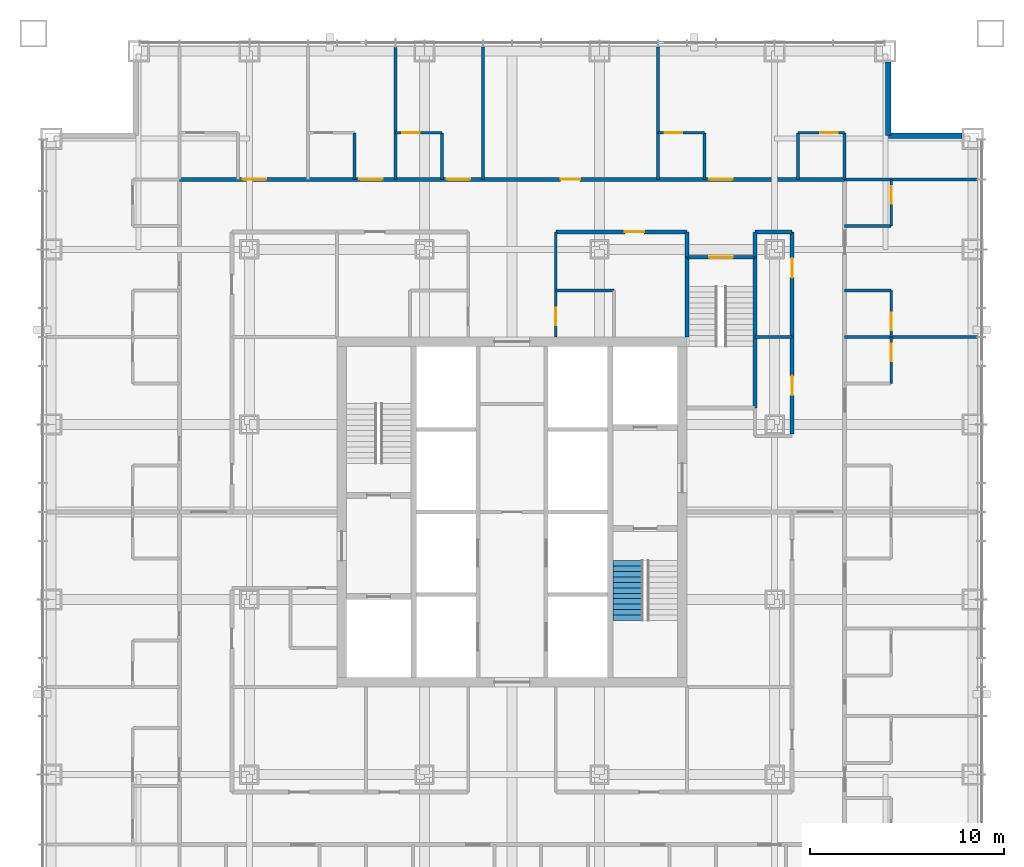
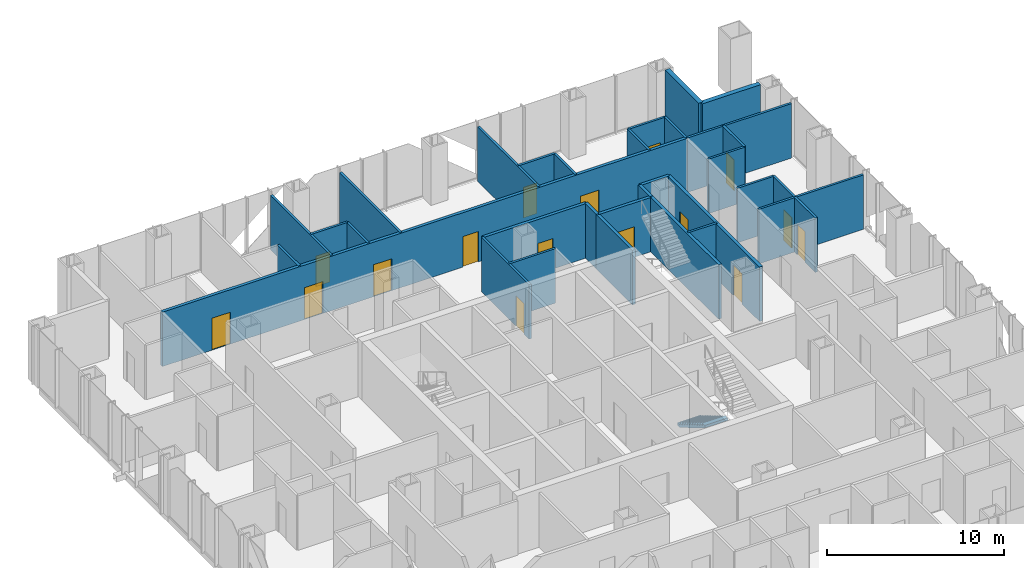
# One storey, part 12 of 18: 32 walls, 16 doors, 1 stair flight, 16 openings, 1 element without a shape of its own.
"""IFC4 building model written with IfcOpenShell, lengths in metres."""

import ifcopenshell
import ifcopenshell.guid

model = None  # the IFC model being written
_history = None  # IfcOwnerHistory: only IFC2X3 demands one
_inside = {}  # id of a spatial element -> (the spatial element, [elements in it])
_under = {}  # id of a project, library or spatial element -> (it, [spatial elements below it])
_declared = {}  # id of a project -> (the project, [libraries it declares])
_typed = {}  # id of a type object -> (the type object, [elements of that type])
_made_of = {}  # id of a material, layer set ... -> (it, [elements and type objects made of it])


def new_model(schema):
    """Start an empty IFC model of exactly this schema.

    Asked for "IFC4X3", IfcOpenShell would pick the latest addendum, in which some entities
    have other attributes; the version numbers below select the first issue.
    IFC2X3 requires an IfcOwnerHistory on every rooted entity: one is made here for all.
    """
    global model, _history
    if schema == "IFC4X3":
        model = ifcopenshell.file(schema_version=(4, 3, 0, 0))
    else:
        model = ifcopenshell.file(schema=schema)
    _inside.clear()
    _under.clear()
    _declared.clear()
    _typed.clear()
    _made_of.clear()
    _history = None
    if model.schema == "IFC2X3":
        org = make("IfcOrganization", Name="unknown")
        user = make(
            "IfcPersonAndOrganization",
            ThePerson=make("IfcPerson", FamilyName="unknown"),
            TheOrganization=org,
        )
        app = make(
            "IfcApplication",
            ApplicationDeveloper=org,
            Version="unknown",
            ApplicationFullName="unknown",
            ApplicationIdentifier="unknown",
        )
        _history = make(
            "IfcOwnerHistory",
            OwningUser=user,
            OwningApplication=app,
            ChangeAction="ADDED",
            CreationDate=0,
        )
    return model


def make(cls, **values):
    """One entity of the class cls with the attributes given. An attribute that is None is left unset."""
    return model.create_entity(
        cls, **{name: value for name, value in values.items() if value is not None}
    )


def rooted(cls, **values):
    """An entity with a GlobalId (a new one), such as an element, a storey or a relation."""
    return make(cls, GlobalId=ifcopenshell.guid.new(), OwnerHistory=_history, **values)


def si_unit(unit_type, name, prefix=None):
    """IfcSIUnit, for example si_unit("LENGTHUNIT", "METRE", prefix="MILLI")."""
    return make("IfcSIUnit", UnitType=unit_type, Prefix=prefix, Name=name)


def assignment(units):
    """IfcUnitAssignment: the units of a project."""
    return None if units is None else make("IfcUnitAssignment", Units=units)


def point(xyz):
    """IfcCartesianPoint."""
    return None if xyz is None else make("IfcCartesianPoint", Coordinates=xyz)


def direction(xyz):
    """IfcDirection."""
    return None if xyz is None else make("IfcDirection", DirectionRatios=xyz)


def frame(location, z_axis=None, x_axis=None):
    """IfcAxis2Placement3D, a coordinate frame: its origin and axes. An axis left out is left unset."""
    return make(
        "IfcAxis2Placement3D",
        Location=point(location),
        Axis=direction(z_axis),
        RefDirection=direction(x_axis),
    )


def frame_2d(location, x_axis=None):
    """IfcAxis2Placement2D, a coordinate frame in the plane: its origin and x axis."""
    return make(
        "IfcAxis2Placement2D", Location=point(location), RefDirection=direction(x_axis)
    )


def origin():
    """The frame at (0, 0, 0) with its axes left unset."""
    return frame((0.0, 0.0, 0.0))


def place(relative_to, where):
    """IfcLocalPlacement: puts the frame where relative to a parent placement (None: the world)."""
    return make(
        "IfcLocalPlacement", PlacementRelTo=relative_to, RelativePlacement=where
    )


def context(
    kind, dimensions, precision=None, world=None, true_north=None, identifier=None
):
    """IfcGeometricRepresentationContext, for example the 3D "Model" context."""
    return make(
        "IfcGeometricRepresentationContext",
        ContextIdentifier=identifier,
        ContextType=kind,
        CoordinateSpaceDimension=dimensions,
        Precision=precision,
        WorldCoordinateSystem=world,
        TrueNorth=true_north,
    )


def subcontext(parent, identifier, kind, view, scale=None):
    """IfcGeometricRepresentationSubContext, for example "Body" below "Model"."""
    return make(
        "IfcGeometricRepresentationSubContext",
        ContextIdentifier=identifier,
        ContextType=kind,
        ParentContext=parent,
        TargetScale=scale,
        TargetView=view,
    )


def project(units=None, contexts=None):
    """IfcProject with its units and contexts."""
    return rooted(
        "IfcProject",
        Name="project",
        RepresentationContexts=contexts,
        UnitsInContext=assignment(units),
    )


def spatial(cls, under=None, at=None, **own):
    """A site, building, storey or space (cls), placed at a placement, below another one or the project."""
    s = rooted(cls, ObjectPlacement=at, **own)
    if under is not None:
        _under.setdefault(under.id(), (under, []))[1].append(s)
    return s


def polyline(points):
    """IfcPolyline through the points."""
    return make("IfcPolyline", Points=[point(p) for p in points])


def profile(cls, at=None, kind="AREA", **sizes):
    """A parametric profile (cls). Its sizes go by their IFC names, for example OverallWidth=200.0."""
    return make(cls, ProfileType=kind, Position=at, **sizes)


def rectangle(**sizes):
    """IfcRectangleProfileDef."""
    return profile("IfcRectangleProfileDef", **sizes)


def outline(outer, holes=None, kind="AREA"):
    """IfcArbitraryClosedProfileDef: a profile drawn as a closed curve; with holes, ...WithVoids."""
    if holes is None:
        return make("IfcArbitraryClosedProfileDef", ProfileType=kind, OuterCurve=outer)
    return make(
        "IfcArbitraryProfileDefWithVoids",
        ProfileType=kind,
        OuterCurve=outer,
        InnerCurves=holes,
    )


def extrude(swept, where, along, depth):
    """IfcExtrudedAreaSolid: the profile swept, set in the frame where, extruded along a direction by depth."""
    return make(
        "IfcExtrudedAreaSolid",
        SweptArea=swept,
        Position=where,
        ExtrudedDirection=direction(along),
        Depth=depth,
    )


def shape(context_of_items, identifier, shape_type, items):
    """IfcShapeRepresentation: the items that make up one representation, for example the "Body"."""
    return make(
        "IfcShapeRepresentation",
        ContextOfItems=context_of_items,
        RepresentationIdentifier=identifier,
        RepresentationType=shape_type,
        Items=items,
    )


def material(Name=None, Category=None):
    """IfcMaterial."""
    return make("IfcMaterial", Name=Name, Category=Category)


def layer(
    of_material, thickness, ventilated=None, Name=None, Category=None, Priority=None
):
    """IfcMaterialLayer: one layer of a wall or slab, of a material (None: an air gap)."""
    return make(
        "IfcMaterialLayer",
        Material=of_material,
        LayerThickness=thickness,
        IsVentilated=ventilated,
        Name=Name,
        Category=Category,
        Priority=Priority,
    )


def layer_set(layers, Name=None):
    """IfcMaterialLayerSet."""
    return make("IfcMaterialLayerSet", MaterialLayers=layers, LayerSetName=Name)


def made_of(thing, what):
    """Note that an element or type object is made of a material, layer set ...; save() writes the relation."""
    if what is not None:
        _made_of.setdefault(what.id(), (what, []))[1].append(thing)
    return thing


def type_object(cls, material=None, **own):
    """A type object (cls), such as IfcWallType, which elements share."""
    return made_of(rooted(cls, **own), material)


def element(
    cls,
    number,
    at=None,
    inside=None,
    cuts=None,
    type_object=None,
    material=None,
    context=None,
    identifier="Body",
    shape_type=None,
    held_by="IfcProductDefinitionShape",
    body=None,
    shapes=None,
    **own,
):
    """One element of the class cls, such as IfcWall. Its Tag is "e" and its number.

    at: its placement. inside: the storey or other place that contains it. cuts: it is an
    opening in that element (IfcRelVoidsElement). A single representation is given by context,
    identifier, shape_type and body (its items); several are given by shapes. held_by: the class
    of the entity that holds the representations. save() writes the other relations.
    """
    e = rooted(cls, Tag="e%d" % number, ObjectPlacement=at, **own)
    if body is not None:
        shapes = [shape(context, identifier, shape_type, body)]
    if shapes is not None:
        e.Representation = make(held_by, Representations=shapes)
    if inside is not None:
        _inside.setdefault(inside.id(), (inside, []))[1].append(e)
    if cuts is not None:
        rooted(
            "IfcRelVoidsElement", RelatingBuildingElement=cuts, RelatedOpeningElement=e
        )
    if type_object is not None:
        _typed.setdefault(type_object.id(), (type_object, []))[1].append(e)
    return made_of(e, material)


def fill(opening, filler):
    """IfcRelFillsElement: the door or window that sits in an opening."""
    return rooted(
        "IfcRelFillsElement",
        RelatingOpeningElement=opening,
        RelatedBuildingElement=filler,
    )


def aggregate(whole, parts):
    """IfcRelAggregates: a whole, such as a stair, and the parts it consists of."""
    return rooted("IfcRelAggregates", RelatingObject=whole, RelatedObjects=parts)


def save(model, path):
    """Write the relations noted so far, then the file.

    IfcRelAggregates (storeys below a building ...), IfcRelContainedInSpatialStructure (elements
    in a storey), IfcRelDefinesByType, IfcRelAssociatesMaterial and IfcRelDeclares: one each for
    every whole, place, type object, material and project.
    """
    for whole, parts in _under.values():
        aggregate(whole, parts)
    for where, things in _inside.values():
        rooted(
            "IfcRelContainedInSpatialStructure",
            RelatedElements=things,
            RelatingStructure=where,
        )
    for kind, things in _typed.values():
        rooted("IfcRelDefinesByType", RelatedObjects=things, RelatingType=kind)
    for what, things in _made_of.values():
        rooted("IfcRelAssociatesMaterial", RelatedObjects=things, RelatingMaterial=what)
    for by, libraries in _declared.values():
        rooted("IfcRelDeclares", RelatingContext=by, RelatedDefinitions=libraries)
    model.write(path)


model = new_model("IFC4")

# Units and contexts
model_context = context("Model", 3, precision=1e-05, world=origin(), true_north=direction((0.0, 1.0)))
body_context = subcontext(model_context, "Body", "Model", "MODEL_VIEW")
ifc_project = project(units=[si_unit("LENGTHUNIT", "METRE"), si_unit("AREAUNIT", "SQUARE_METRE"), si_unit("VOLUMEUNIT", "CUBIC_METRE"), si_unit("PLANEANGLEUNIT", "RADIAN"), si_unit("MASSUNIT", "GRAM", prefix="KILO")], contexts=[model_context])

# Site, building, storey
site_placement = place(None, origin())
site = spatial("IfcSite", under=ifc_project, at=site_placement, CompositionType="ELEMENT")
building_placement = place(site_placement, origin())
building = spatial("IfcBuilding", under=site, at=building_placement, Name="Malebo Sky Hospital", CompositionType="ELEMENT")
storey_placement = place(building_placement, frame((0.0, 0.0, 112.0)))
storey = spatial("IfcBuildingStorey", under=building, at=storey_placement, Name="L26", CompositionType="ELEMENT", Elevation=112.0)

# Wall, openings, doors
ifc_material_1 = material(Name="Gypsum board on steel studs", Category="steel")
ifc_layer_1 = layer(ifc_material_1, 0.199951171875)
ifc_layer_set_1 = layer_set([ifc_layer_1], Name="CORRIDOR WALL 200")
wall_type_1 = type_object("IfcWallType", Name="CORRIDOR WALL 200", PredefinedType="PARTITIONING", material=ifc_layer_set_1)
wall_1_placement = place(storey_placement, frame((42.89990234375, 79.10009765625, 0.0), z_axis=(0.0, 0.0, 1.0), x_axis=(1.0, 0.0, 0.0)))
wall_1 = element("IfcWall", 1, at=wall_1_placement, inside=storey, type_object=wall_type_1, Name="Corridor Wall 200 NCO", PredefinedType="PARTITIONING", context=body_context, shape_type="SweptSolid", body=[
    extrude(rectangle(XDim=34.2001953125, YDim=0.199951171875, at=frame_2d((17.10009765625, 0.0))), origin(), (0.0, 0.0, 1.0), 3.75),
])
opening_1_placement = place(wall_1_placement, frame((3.25, 0.0, 0.0)))
opening_1 = element("IfcOpeningElement", 2, at=opening_1_placement, cuts=wall_1, Name="Opening D01", PredefinedType="OPENING", context=body_context, shape_type="SweptSolid", body=[
    extrude(rectangle(XDim=1.199951171875, YDim=2.199951171875, at=frame_2d((0.60009765625, 1.10009765625))), frame((0.0, 0.10986328125, 0.0), z_axis=(0.0, -1.0, 0.0), x_axis=(1.0, 0.0, 0.0)), (0.0, 0.0, 1.0), 0.219970703125),
])
opening_2_placement = place(wall_1_placement, frame((9.25, 0.0, 0.0)))
opening_2 = element("IfcOpeningElement", 3, at=opening_2_placement, cuts=wall_1, Name="Opening D01", PredefinedType="OPENING", context=body_context, shape_type="SweptSolid", body=[
    extrude(rectangle(XDim=1.199951171875, YDim=2.199951171875, at=frame_2d((0.60009765625, 1.10009765625))), frame((0.0, 0.10986328125, 0.0), z_axis=(0.0, -1.0, 0.0), x_axis=(1.0, 0.0, 0.0)), (0.0, 0.0, 1.0), 0.219970703125),
])
opening_3_placement = place(wall_1_placement, frame((13.75, 0.0, 0.0)))
opening_3 = element("IfcOpeningElement", 4, at=opening_3_placement, cuts=wall_1, Name="Opening D01", PredefinedType="OPENING", context=body_context, shape_type="SweptSolid", body=[
    extrude(rectangle(XDim=1.199951171875, YDim=2.199951171875, at=frame_2d((0.60009765625, 1.10009765625))), frame((0.0, 0.10986328125, 0.0), z_axis=(0.0, -1.0, 0.0), x_axis=(1.0, 0.0, 0.0)), (0.0, 0.0, 1.0), 0.219970703125),
])
opening_4_placement = place(wall_1_placement, frame((19.60009765625, 0.0, 0.0)))
opening_4 = element("IfcOpeningElement", 5, at=opening_4_placement, cuts=wall_1, Name="Opening D03", PredefinedType="OPENING", context=body_context, shape_type="SweptSolid", body=[
    extrude(rectangle(XDim=1.0, YDim=2.10009765625, at=frame_2d((0.5, 1.050048828125))), frame((0.0, 0.10986328125, 0.0), z_axis=(0.0, -1.0, 0.0), x_axis=(1.0, 0.0, 0.0)), (0.0, 0.0, 1.0), 0.219970703125),
])
opening_5_placement = place(wall_1_placement, frame((27.25, 0.0, 0.0)))
opening_5 = element("IfcOpeningElement", 6, at=opening_5_placement, cuts=wall_1, Name="Opening D01", PredefinedType="OPENING", context=body_context, shape_type="SweptSolid", body=[
    extrude(rectangle(XDim=1.199951171875, YDim=2.199951171875, at=frame_2d((0.60009765625, 1.10009765625))), frame((0.0, 0.10986328125, 0.0), z_axis=(0.0, -1.0, 0.0), x_axis=(1.0, 0.0, 0.0)), (0.0, 0.0, 1.0), 0.219970703125),
])
ifc_material_2 = material(Name="Hardwood-faced door leaf in steel frame", Category="steel")
door_type_1 = type_object("IfcDoorType", Name="BED DOOR 1200", OperationType="SINGLE_SWING_LEFT", PredefinedType="DOOR", material=ifc_material_2)
door_1_placement = place(opening_1_placement, origin())
door_1 = element("IfcDoor", 7, at=door_1_placement, inside=storey, type_object=door_type_1, Name="Two-bed room door", OperationType="SINGLE_SWING_LEFT", OverallHeight=2.199951171875, OverallWidth=1.199951171875, PredefinedType="DOOR", context=body_context, shape_type="SweptSolid", body=[
    extrude(rectangle(XDim=1.199951171875, YDim=2.199951171875, at=frame_2d((0.60009765625, 1.10009765625))), frame((0.0, 0.02490234375, 0.0), z_axis=(0.0, -1.0, 0.0), x_axis=(1.0, 0.0, 0.0)), (0.0, 0.0, 1.0), 0.050048828125),
])
fill(opening_1, door_1)
door_2_placement = place(opening_2_placement, origin())
door_2 = element("IfcDoor", 8, at=door_2_placement, inside=storey, type_object=door_type_1, Name="Single bed room door", OperationType="SINGLE_SWING_LEFT", OverallHeight=2.199951171875, OverallWidth=1.199951171875, PredefinedType="DOOR", context=body_context, shape_type="SweptSolid", body=[
    extrude(rectangle(XDim=1.199951171875, YDim=2.199951171875, at=frame_2d((0.60009765625, 1.10009765625))), frame((0.0, 0.02490234375, 0.0), z_axis=(0.0, -1.0, 0.0), x_axis=(1.0, 0.0, 0.0)), (0.0, 0.0, 1.0), 0.050048828125),
])
fill(opening_2, door_2)
door_3_placement = place(opening_3_placement, origin())
door_3 = element("IfcDoor", 9, at=door_3_placement, inside=storey, type_object=door_type_1, Name="Single bed room door", OperationType="SINGLE_SWING_LEFT", OverallHeight=2.199951171875, OverallWidth=1.199951171875, PredefinedType="DOOR", context=body_context, shape_type="SweptSolid", body=[
    extrude(rectangle(XDim=1.199951171875, YDim=2.199951171875, at=frame_2d((0.60009765625, 1.10009765625))), frame((0.0, 0.02490234375, 0.0), z_axis=(0.0, -1.0, 0.0), x_axis=(1.0, 0.0, 0.0)), (0.0, 0.0, 1.0), 0.050048828125),
])
fill(opening_3, door_3)
door_4_placement = place(opening_5_placement, origin())
door_4 = element("IfcDoor", 10, at=door_4_placement, inside=storey, type_object=door_type_1, Name="Four-bed bay door", OperationType="SINGLE_SWING_LEFT", OverallHeight=2.199951171875, OverallWidth=1.199951171875, PredefinedType="DOOR", context=body_context, shape_type="SweptSolid", body=[
    extrude(rectangle(XDim=1.199951171875, YDim=2.199951171875, at=frame_2d((0.60009765625, 1.10009765625))), frame((0.0, 0.02490234375, 0.0), z_axis=(0.0, -1.0, 0.0), x_axis=(1.0, 0.0, 0.0)), (0.0, 0.0, 1.0), 0.050048828125),
])
fill(opening_5, door_4)
door_type_2 = type_object("IfcDoorType", Name="ROOM DOOR 1000", OperationType="SINGLE_SWING_LEFT", PredefinedType="DOOR", material=ifc_material_2)
door_5_placement = place(opening_4_placement, origin())
door_5 = element("IfcDoor", 11, at=door_5_placement, inside=storey, type_object=door_type_2, Name="Patient day room door", OperationType="SINGLE_SWING_LEFT", OverallHeight=2.10009765625, OverallWidth=1.0, PredefinedType="DOOR", context=body_context, shape_type="SweptSolid", body=[
    extrude(rectangle(XDim=1.0, YDim=2.10009765625, at=frame_2d((0.5, 1.050048828125))), frame((0.0, 0.02490234375, 0.0), z_axis=(0.0, -1.0, 0.0), x_axis=(1.0, 0.0, 0.0)), (0.0, 0.0, 1.0), 0.050048828125),
])
fill(opening_4, door_5)

# Wall, opening, door
wall_2_placement = place(storey_placement, frame((62.25, 76.39990234375, 0.0), z_axis=(0.0, 0.0, 1.0), x_axis=(1.0, 0.0, 0.0)))
wall_2 = element("IfcWall", 12, at=wall_2_placement, inside=storey, type_object=wall_type_1, Name="Corridor Wall 200 NCI2", PredefinedType="PARTITIONING", context=body_context, shape_type="SweptSolid", body=[
    extrude(rectangle(XDim=6.75, YDim=0.199951171875, at=frame_2d((3.375, 0.0))), origin(), (0.0, 0.0, 1.0), 3.75),
])
opening_6_placement = place(wall_2_placement, frame((3.550048828125, 0.0, 0.0)))
opening_6 = element("IfcOpeningElement", 13, at=opening_6_placement, cuts=wall_2, Name="Opening D03", PredefinedType="OPENING", context=body_context, shape_type="SweptSolid", body=[
    extrude(rectangle(XDim=1.0, YDim=2.10009765625, at=frame_2d((0.5, 1.050048828125))), frame((0.0, 0.10986328125, 0.0), z_axis=(0.0, -1.0, 0.0), x_axis=(1.0, 0.0, 0.0)), (0.0, 0.0, 1.0), 0.219970703125),
])
door_6_placement = place(opening_6_placement, origin())
door_6 = element("IfcDoor", 14, at=door_6_placement, inside=storey, type_object=door_type_2, Name="Medication room door", OperationType="SINGLE_SWING_RIGHT", OverallHeight=2.10009765625, OverallWidth=1.0, PredefinedType="DOOR", context=body_context, shape_type="SweptSolid", body=[
    extrude(rectangle(XDim=1.0, YDim=2.10009765625, at=frame_2d((0.5, 1.050048828125))), frame((0.0, 0.02490234375, 0.0), z_axis=(0.0, -1.0, 0.0), x_axis=(1.0, 0.0, 0.0)), (0.0, 0.0, 1.0), 0.050048828125),
])
fill(opening_6, door_6)

# Wall
wall_3_placement = place(storey_placement, frame((72.5, 76.39990234375, 0.0), z_axis=(0.0, 0.0, 1.0), x_axis=(1.0, 0.0, 0.0)))
element("IfcWall", 15, at=wall_3_placement, inside=storey, type_object=wall_type_1, Name="Corridor Wall 200 NCI2/2", PredefinedType="PARTITIONING", context=body_context, shape_type="SweptSolid", body=[
    extrude(rectangle(XDim=1.89990234375, YDim=0.199951171875, at=frame_2d((0.949951171875, 0.0))), origin(), (0.0, 0.0, 1.0), 3.75),
])

# Wall, openings, doors
wall_4_placement = place(storey_placement, frame((74.39990234375, 76.39990234375, 0.0), z_axis=(0.0, 0.0, 1.0), x_axis=(0.0, -1.0, 0.0)))
wall_4 = element("IfcWall", 16, at=wall_4_placement, inside=storey, type_object=wall_type_1, Name="Corridor Wall 200 ECI1", PredefinedType="PARTITIONING", context=body_context, shape_type="SweptSolid", body=[
    extrude(rectangle(XDim=10.39990234375, YDim=0.199951171875, at=frame_2d((5.199951171875, 0.0))), origin(), (0.0, 0.0, 1.0), 3.75),
])
opening_7_placement = place(wall_4_placement, frame((1.35009765625, 0.0, 0.0)))
opening_7 = element("IfcOpeningElement", 17, at=opening_7_placement, cuts=wall_4, Name="Opening D03", PredefinedType="OPENING", context=body_context, shape_type="SweptSolid", body=[
    extrude(rectangle(XDim=1.0, YDim=2.10009765625, at=frame_2d((0.5, 1.050048828125))), frame((0.0, 0.10986328125, 0.0), z_axis=(0.0, -1.0, 0.0), x_axis=(1.0, 0.0, 0.0)), (0.0, 0.0, 1.0), 0.219970703125),
])
opening_8_placement = place(wall_4_placement, frame((7.39990234375, 0.0, 0.0)))
opening_8 = element("IfcOpeningElement", 18, at=opening_8_placement, cuts=wall_4, Name="Opening D03", PredefinedType="OPENING", context=body_context, shape_type="SweptSolid", body=[
    extrude(rectangle(XDim=1.0, YDim=2.10009765625, at=frame_2d((0.5, 1.050048828125))), frame((0.0, 0.10986328125, 0.0), z_axis=(0.0, -1.0, 0.0), x_axis=(1.0, 0.0, 0.0)), (0.0, 0.0, 1.0), 0.219970703125),
])
door_7_placement = place(opening_7_placement, origin())
door_7 = element("IfcDoor", 19, at=door_7_placement, inside=storey, type_object=door_type_2, Name="Treatment room door", OperationType="SINGLE_SWING_LEFT", OverallHeight=2.10009765625, OverallWidth=1.0, PredefinedType="DOOR", context=body_context, shape_type="SweptSolid", body=[
    extrude(rectangle(XDim=1.0, YDim=2.10009765625, at=frame_2d((0.5, 1.050048828125))), frame((0.0, 0.02490234375, 0.0), z_axis=(0.0, -1.0, 0.0), x_axis=(1.0, 0.0, 0.0)), (0.0, 0.0, 1.0), 0.050048828125),
])
fill(opening_7, door_7)
door_8_placement = place(opening_8_placement, origin())
door_8 = element("IfcDoor", 20, at=door_8_placement, inside=storey, type_object=door_type_2, Name="Equipment store door", OperationType="SINGLE_SWING_LEFT", OverallHeight=2.10009765625, OverallWidth=1.0, PredefinedType="DOOR", context=body_context, shape_type="SweptSolid", body=[
    extrude(rectangle(XDim=1.0, YDim=2.10009765625, at=frame_2d((0.5, 1.050048828125))), frame((0.0, 0.02490234375, 0.0), z_axis=(0.0, -1.0, 0.0), x_axis=(1.0, 0.0, 0.0)), (0.0, 0.0, 1.0), 0.050048828125),
])
fill(opening_8, door_8)

# Walls
for number, where, z_axis, x_axis, name in (
    (21, (69.0, 75.10009765625, 0.0), (0.0, 0.0, 1.0), (0.0, 1.0, 0.0), "Corridor Wall 200 ST3AW"),
    (22, (72.5, 75.10009765625, 0.0), (0.0, 0.0, 1.0), (0.0, 1.0, 0.0), "Corridor Wall 200 ST3AE"),
):
    element("IfcWall", number, at=place(storey_placement, frame(where, z_axis=z_axis, x_axis=x_axis)), inside=storey, type_object=wall_type_1, Name=name, PredefinedType="PARTITIONING", context=body_context, shape_type="SweptSolid", body=[
        extrude(rectangle(XDim=1.2998046875, YDim=0.199951171875, at=frame_2d((0.64990234375, 0.0))), origin(), (0.0, 0.0, 1.0), 3.75),
    ])
ifc_material_3 = material(Name="Anodised aluminium rainscreen on steel framing", Category="steel")
ifc_layer_2 = layer(ifc_material_3, 0.300048828125)
ifc_layer_set_2 = layer_set([ifc_layer_2], Name="NOTCH RAINSCREEN WALL 300")
wall_type_2 = type_object("IfcWallType", Name="NOTCH RAINSCREEN WALL 300", PredefinedType="ELEMENTEDWALL", material=ifc_layer_set_2)
for number, where, z_axis, x_axis, name in (
    (23, (79.35009765625, 85.14990234375, 0.0), (0.0, 0.0, 1.0), (0.0, -1.0, 0.0), "Notch rainscreen wall N1 L26"),
    (24, (79.35009765625, 81.35009765625, 0.0), (0.0, 0.0, 1.0), (1.0, 0.0, 0.0), "Notch rainscreen wall N2 L26"),
):
    element("IfcWall", number, at=place(storey_placement, frame(where, z_axis=z_axis, x_axis=x_axis)), inside=storey, type_object=wall_type_2, Name=name, PredefinedType="ELEMENTEDWALL", context=body_context, shape_type="SweptSolid", body=[
        extrude(rectangle(XDim=3.7998046875, YDim=0.300048828125, at=frame_2d((1.89990234375, 0.0))), origin(), (0.0, 0.0, 1.0), 4.0),
    ])
ifc_layer_3 = layer(ifc_material_1, 0.14990234375)
ifc_layer_set_3 = layer_set([ifc_layer_3], Name="PARTITION 150")
wall_type_3 = type_object("IfcWallType", Name="PARTITION 150", PredefinedType="PARTITIONING", material=ifc_layer_set_3)
for number, where, z_axis, x_axis, name in (
    (25, (54.0, 79.10009765625, 0.0), (0.0, 0.0, 1.0), (0.0, 1.0, 0.0), "Partition 150 NP-6.0"),
    (26, (58.5, 79.10009765625, 0.0), (0.0, 0.0, 1.0), (0.0, 1.0, 0.0), "Partition 150 NP-1.5"),
    (27, (67.5, 79.10009765625, 0.0), (0.0, 0.0, 1.0), (0.0, 1.0, 0.0), "Partition 150 NP+7.5"),
):
    element("IfcWall", number, at=place(storey_placement, frame(where, z_axis=z_axis, x_axis=x_axis)), inside=storey, type_object=wall_type_3, Name=name, PredefinedType="PARTITIONING", context=body_context, shape_type="SweptSolid", body=[
        extrude(rectangle(XDim=6.809814453125, YDim=0.14990234375, at=frame_2d((3.40478515625, 0.0))), origin(), (0.0, 0.0, 1.0), 3.75),
    ])
wall_5_placement = place(storey_placement, frame((51.89990234375, 79.10009765625, 0.0), z_axis=(0.0, 0.0, 1.0), x_axis=(0.0, 1.0, 0.0)))
element("IfcWall", 28, at=wall_5_placement, inside=storey, type_object=wall_type_3, Name="Partition 150 NE1S", PredefinedType="PARTITIONING", context=body_context, shape_type="SweptSolid", body=[
    extrude(rectangle(XDim=2.39990234375, YDim=0.14990234375, at=frame_2d((1.199951171875, 0.0))), origin(), (0.0, 0.0, 1.0), 3.75),
])

# Wall, opening, door
wall_6_placement = place(storey_placement, frame((54.0, 81.5, 0.0), z_axis=(0.0, 0.0, 1.0), x_axis=(1.0, 0.0, 0.0)))
wall_6 = element("IfcWall", 29, at=wall_6_placement, inside=storey, type_object=wall_type_3, Name="Partition 150 NE2F", PredefinedType="PARTITIONING", context=body_context, shape_type="SweptSolid", body=[
    extrude(rectangle(XDim=2.39990234375, YDim=0.14990234375, at=frame_2d((1.199951171875, 0.0))), origin(), (0.0, 0.0, 1.0), 3.75),
])
opening_9_placement = place(wall_6_placement, frame((0.35009765625, 0.0, 0.0)))
opening_9 = element("IfcOpeningElement", 30, at=opening_9_placement, cuts=wall_6, Name="Opening D02", PredefinedType="OPENING", context=body_context, shape_type="SweptSolid", body=[
    extrude(rectangle(XDim=0.89990234375, YDim=2.10009765625, at=frame_2d((0.449951171875, 1.050048828125))), frame((0.0, 0.0849609375, 0.0), z_axis=(0.0, -1.0, 0.0), x_axis=(1.0, 0.0, 0.0)), (0.0, 0.0, 1.0), 0.169921875),
])
door_type_3 = type_object("IfcDoorType", Name="EN-SUITE DOOR 900", OperationType="SINGLE_SWING_LEFT", PredefinedType="DOOR", material=ifc_material_2)
door_9_placement = place(opening_9_placement, origin())
door_9 = element("IfcDoor", 31, at=door_9_placement, inside=storey, type_object=door_type_3, Name="En-suite door", OperationType="SINGLE_SWING_LEFT", OverallHeight=2.10009765625, OverallWidth=0.89990234375, PredefinedType="DOOR", context=body_context, shape_type="SweptSolid", body=[
    extrude(rectangle(XDim=0.89990234375, YDim=2.10009765625, at=frame_2d((0.449951171875, 1.050048828125))), frame((0.0, 0.02490234375, 0.0), z_axis=(0.0, -1.0, 0.0), x_axis=(1.0, 0.0, 0.0)), (0.0, 0.0, 1.0), 0.050048828125),
])
fill(opening_9, door_9)

# Wall
wall_7_placement = place(storey_placement, frame((56.39990234375, 79.10009765625, 0.0), z_axis=(0.0, 0.0, 1.0), x_axis=(0.0, 1.0, 0.0)))
element("IfcWall", 32, at=wall_7_placement, inside=storey, type_object=wall_type_3, Name="Partition 150 NE2S", PredefinedType="PARTITIONING", context=body_context, shape_type="SweptSolid", body=[
    extrude(rectangle(XDim=2.39990234375, YDim=0.14990234375, at=frame_2d((1.199951171875, 0.0))), origin(), (0.0, 0.0, 1.0), 3.75),
])

# Wall, opening, door
wall_8_placement = place(storey_placement, frame((67.5, 81.5, 0.0), z_axis=(0.0, 0.0, 1.0), x_axis=(1.0, 0.0, 0.0)))
wall_8 = element("IfcWall", 33, at=wall_8_placement, inside=storey, type_object=wall_type_3, Name="Partition 150 NE4F", PredefinedType="PARTITIONING", context=body_context, shape_type="SweptSolid", body=[
    extrude(rectangle(XDim=2.39990234375, YDim=0.14990234375, at=frame_2d((1.199951171875, 0.0))), origin(), (0.0, 0.0, 1.0), 3.75),
])
opening_10_placement = place(wall_8_placement, frame((0.35009765625, 0.0, 0.0)))
opening_10 = element("IfcOpeningElement", 34, at=opening_10_placement, cuts=wall_8, Name="Opening D02", PredefinedType="OPENING", context=body_context, shape_type="SweptSolid", body=[
    extrude(rectangle(XDim=0.89990234375, YDim=2.10009765625, at=frame_2d((0.449951171875, 1.050048828125))), frame((0.0, 0.0849609375, 0.0), z_axis=(0.0, -1.0, 0.0), x_axis=(1.0, 0.0, 0.0)), (0.0, 0.0, 1.0), 0.169921875),
])
door_10_placement = place(opening_10_placement, origin())
door_10 = element("IfcDoor", 35, at=door_10_placement, inside=storey, type_object=door_type_3, Name="En-suite door", OperationType="SINGLE_SWING_LEFT", OverallHeight=2.10009765625, OverallWidth=0.89990234375, PredefinedType="DOOR", context=body_context, shape_type="SweptSolid", body=[
    extrude(rectangle(XDim=0.89990234375, YDim=2.10009765625, at=frame_2d((0.449951171875, 1.050048828125))), frame((0.0, 0.02490234375, 0.0), z_axis=(0.0, -1.0, 0.0), x_axis=(1.0, 0.0, 0.0)), (0.0, 0.0, 1.0), 0.050048828125),
])
fill(opening_10, door_10)

# Wall
wall_9_placement = place(storey_placement, frame((69.89990234375, 79.10009765625, 0.0), z_axis=(0.0, 0.0, 1.0), x_axis=(0.0, 1.0, 0.0)))
element("IfcWall", 36, at=wall_9_placement, inside=storey, type_object=wall_type_3, Name="Partition 150 NE4S", PredefinedType="PARTITIONING", context=body_context, shape_type="SweptSolid", body=[
    extrude(rectangle(XDim=2.39990234375, YDim=0.14990234375, at=frame_2d((1.199951171875, 0.0))), origin(), (0.0, 0.0, 1.0), 3.75),
])

# Wall, opening, door
wall_10_placement = place(storey_placement, frame((74.699951171875, 81.5, 0.0), z_axis=(0.0, 0.0, 1.0), x_axis=(1.0, 0.0, 0.0)))
wall_10 = element("IfcWall", 37, at=wall_10_placement, inside=storey, type_object=wall_type_3, Name="Partition 150 NG4F", PredefinedType="PARTITIONING", context=body_context, shape_type="SweptSolid", body=[
    extrude(rectangle(XDim=2.400146484375, YDim=0.14990234375, at=frame_2d((1.2001953125, 0.0))), origin(), (0.0, 0.0, 1.0), 3.75),
])
opening_11_placement = place(wall_10_placement, frame((1.14990234375, 0.0, 0.0)))
opening_11 = element("IfcOpeningElement", 38, at=opening_11_placement, cuts=wall_10, Name="Opening D02", PredefinedType="OPENING", context=body_context, shape_type="SweptSolid", body=[
    extrude(rectangle(XDim=0.89990234375, YDim=2.10009765625, at=frame_2d((0.449951171875, 1.050048828125))), frame((0.0, 0.0849609375, 0.0), z_axis=(0.0, -1.0, 0.0), x_axis=(1.0, 0.0, 0.0)), (0.0, 0.0, 1.0), 0.169921875),
])
door_11_placement = place(opening_11_placement, origin())
door_11 = element("IfcDoor", 39, at=door_11_placement, inside=storey, type_object=door_type_3, Name="En-suite door", OperationType="SINGLE_SWING_RIGHT", OverallHeight=2.10009765625, OverallWidth=0.89990234375, PredefinedType="DOOR", context=body_context, shape_type="SweptSolid", body=[
    extrude(rectangle(XDim=0.89990234375, YDim=2.10009765625, at=frame_2d((0.449951171875, 1.050048828125))), frame((0.0, 0.02490234375, 0.0), z_axis=(0.0, -1.0, 0.0), x_axis=(1.0, 0.0, 0.0)), (0.0, 0.0, 1.0), 0.050048828125),
])
fill(opening_11, door_11)

# Walls
for number, where, z_axis, x_axis, name in (
    (40, (74.699951171875, 79.10009765625, 0.0), (0.0, 0.0, 1.0), (0.0, 1.0, 0.0), "Partition 150 NG4S"),
    (41, (77.10009765625, 79.10009765625, 0.0), (0.0, 0.0, 1.0), (0.0, 1.0, 0.0), "Partition 150 NEZ"),
):
    element("IfcWall", number, at=place(storey_placement, frame(where, z_axis=z_axis, x_axis=x_axis)), inside=storey, type_object=wall_type_3, Name=name, PredefinedType="PARTITIONING", context=body_context, shape_type="SweptSolid", body=[
        extrude(rectangle(XDim=2.39990234375, YDim=0.14990234375, at=frame_2d((1.199951171875, 0.0))), origin(), (0.0, 0.0, 1.0), 3.75),
    ])

# Wall, opening, door
wall_11_placement = place(storey_placement, frame((62.25, 71.0, 0.0), z_axis=(0.0, 0.0, 1.0), x_axis=(0.0, 1.0, 0.0)))
wall_11 = element("IfcWall", 42, at=wall_11_placement, inside=storey, type_object=wall_type_3, Name="Partition 150 NSPB", PredefinedType="PARTITIONING", context=body_context, shape_type="SweptSolid", body=[
    extrude(rectangle(XDim=5.39990234375, YDim=0.14990234375, at=frame_2d((2.699951171875, 0.0))), origin(), (0.0, 0.0, 1.0), 3.75),
])
opening_12_placement = place(wall_11_placement, frame((0.60009765625, 0.0, 0.0)))
opening_12 = element("IfcOpeningElement", 43, at=opening_12_placement, cuts=wall_11, Name="Opening D04", PredefinedType="OPENING", context=body_context, shape_type="SweptSolid", body=[
    extrude(rectangle(XDim=0.89990234375, YDim=2.10009765625, at=frame_2d((0.449951171875, 1.050048828125))), frame((0.0, 0.0849609375, 0.0), z_axis=(0.0, -1.0, 0.0), x_axis=(1.0, 0.0, 0.0)), (0.0, 0.0, 1.0), 0.169921875),
])
door_type_4 = type_object("IfcDoorType", Name="ROOM DOOR 900", OperationType="SINGLE_SWING_LEFT", PredefinedType="DOOR", material=ifc_material_2)
door_12_placement = place(opening_12_placement, origin())
door_12 = element("IfcDoor", 44, at=door_12_placement, inside=storey, type_object=door_type_4, Name="Accessible WC door", OperationType="SINGLE_SWING_LEFT", OverallHeight=2.10009765625, OverallWidth=0.89990234375, PredefinedType="DOOR", context=body_context, shape_type="SweptSolid", body=[
    extrude(rectangle(XDim=0.89990234375, YDim=2.10009765625, at=frame_2d((0.449951171875, 1.050048828125))), frame((0.0, 0.02490234375, 0.0), z_axis=(0.0, -1.0, 0.0), x_axis=(1.0, 0.0, 0.0)), (0.0, 0.0, 1.0), 0.050048828125),
])
fill(opening_12, door_12)

# Walls
wall_12_placement = place(storey_placement, frame((62.25, 73.39990234375, 0.0), z_axis=(0.0, 0.0, 1.0), x_axis=(1.0, 0.0, 0.0)))
element("IfcWall", 45, at=wall_12_placement, inside=storey, type_object=wall_type_3, Name="Partition 150 NSX1", PredefinedType="PARTITIONING", context=body_context, shape_type="SweptSolid", body=[
    extrude(rectangle(XDim=3.0, YDim=0.14990234375, at=frame_2d((1.5, 0.0))), origin(), (0.0, 0.0, 1.0), 3.75),
])
for number, where, z_axis, x_axis, name in (
    (46, (77.10009765625, 71.0, 0.0), (0.0, 0.0, 1.0), (1.0, 0.0, 0.0), "Partition 150 EP-9.0"),
    (47, (77.10009765625, 79.10009765625, 0.0), (0.0, 0.0, 1.0), (1.0, 0.0, 0.0), "Partition 150 EP0"),
):
    element("IfcWall", number, at=place(storey_placement, frame(where, z_axis=z_axis, x_axis=x_axis)), inside=storey, type_object=wall_type_3, Name=name, PredefinedType="PARTITIONING", context=body_context, shape_type="SweptSolid", body=[
        extrude(rectangle(XDim=6.809814453125, YDim=0.14990234375, at=frame_2d((3.40478515625, 0.0))), origin(), (0.0, 0.0, 1.0), 3.75),
    ])

# Wall, opening, door
wall_13_placement = place(storey_placement, frame((79.5, 79.10009765625, 0.0), z_axis=(0.0, 0.0, 1.0), x_axis=(0.0, -1.0, 0.0)))
wall_13 = element("IfcWall", 48, at=wall_13_placement, inside=storey, type_object=wall_type_3, Name="Partition 150 EE0F", PredefinedType="PARTITIONING", context=body_context, shape_type="SweptSolid", body=[
    extrude(rectangle(XDim=2.400146484375, YDim=0.14990234375, at=frame_2d((1.2001953125, 0.0))), origin(), (0.0, 0.0, 1.0), 3.75),
])
opening_13_placement = place(wall_13_placement, frame((0.35009765625, 0.0, 0.0)))
opening_13 = element("IfcOpeningElement", 49, at=opening_13_placement, cuts=wall_13, Name="Opening D02", PredefinedType="OPENING", context=body_context, shape_type="SweptSolid", body=[
    extrude(rectangle(XDim=0.89990234375, YDim=2.10009765625, at=frame_2d((0.449951171875, 1.050048828125))), frame((0.0, 0.0849609375, 0.0), z_axis=(0.0, -1.0, 0.0), x_axis=(1.0, 0.0, 0.0)), (0.0, 0.0, 1.0), 0.169921875),
])
door_13_placement = place(opening_13_placement, origin())
door_13 = element("IfcDoor", 50, at=door_13_placement, inside=storey, type_object=door_type_3, Name="En-suite door", OperationType="SINGLE_SWING_LEFT", OverallHeight=2.10009765625, OverallWidth=0.89990234375, PredefinedType="DOOR", context=body_context, shape_type="SweptSolid", body=[
    extrude(rectangle(XDim=0.89990234375, YDim=2.10009765625, at=frame_2d((0.449951171875, 1.050048828125))), frame((0.0, 0.02490234375, 0.0), z_axis=(0.0, -1.0, 0.0), x_axis=(1.0, 0.0, 0.0)), (0.0, 0.0, 1.0), 0.050048828125),
])
fill(opening_13, door_13)

# Wall
wall_14_placement = place(storey_placement, frame((77.10009765625, 76.699951171875, 0.0), z_axis=(0.0, 0.0, 1.0), x_axis=(1.0, 0.0, 0.0)))
element("IfcWall", 51, at=wall_14_placement, inside=storey, type_object=wall_type_3, Name="Partition 150 EE0S", PredefinedType="PARTITIONING", context=body_context, shape_type="SweptSolid", body=[
    extrude(rectangle(XDim=2.39990234375, YDim=0.14990234375, at=frame_2d((1.199951171875, 0.0))), origin(), (0.0, 0.0, 1.0), 3.75),
])

# Wall, opening, door
wall_15_placement = place(storey_placement, frame((79.5, 73.39990234375, 0.0), z_axis=(0.0, 0.0, 1.0), x_axis=(0.0, -1.0, 0.0)))
wall_15 = element("IfcWall", 52, at=wall_15_placement, inside=storey, type_object=wall_type_3, Name="Partition 150 EG0F", PredefinedType="PARTITIONING", context=body_context, shape_type="SweptSolid", body=[
    extrude(rectangle(XDim=2.39990234375, YDim=0.14990234375, at=frame_2d((1.199951171875, 0.0))), origin(), (0.0, 0.0, 1.0), 3.75),
])
opening_14_placement = place(wall_15_placement, frame((1.14990234375, 0.0, 0.0)))
opening_14 = element("IfcOpeningElement", 53, at=opening_14_placement, cuts=wall_15, Name="Opening D02", PredefinedType="OPENING", context=body_context, shape_type="SweptSolid", body=[
    extrude(rectangle(XDim=0.89990234375, YDim=2.10009765625, at=frame_2d((0.449951171875, 1.050048828125))), frame((0.0, 0.0849609375, 0.0), z_axis=(0.0, -1.0, 0.0), x_axis=(1.0, 0.0, 0.0)), (0.0, 0.0, 1.0), 0.169921875),
])
door_14_placement = place(opening_14_placement, origin())
door_14 = element("IfcDoor", 54, at=door_14_placement, inside=storey, type_object=door_type_3, Name="En-suite door", OperationType="SINGLE_SWING_RIGHT", OverallHeight=2.10009765625, OverallWidth=0.89990234375, PredefinedType="DOOR", context=body_context, shape_type="SweptSolid", body=[
    extrude(rectangle(XDim=0.89990234375, YDim=2.10009765625, at=frame_2d((0.449951171875, 1.050048828125))), frame((0.0, 0.02490234375, 0.0), z_axis=(0.0, -1.0, 0.0), x_axis=(1.0, 0.0, 0.0)), (0.0, 0.0, 1.0), 0.050048828125),
])
fill(opening_14, door_14)

# Wall
wall_16_placement = place(storey_placement, frame((77.10009765625, 73.39990234375, 0.0), z_axis=(0.0, 0.0, 1.0), x_axis=(1.0, 0.0, 0.0)))
element("IfcWall", 55, at=wall_16_placement, inside=storey, type_object=wall_type_3, Name="Partition 150 EG0S", PredefinedType="PARTITIONING", context=body_context, shape_type="SweptSolid", body=[
    extrude(rectangle(XDim=2.39990234375, YDim=0.14990234375, at=frame_2d((1.199951171875, 0.0))), origin(), (0.0, 0.0, 1.0), 3.75),
])

# Wall, opening, door
wall_17_placement = place(storey_placement, frame((79.5, 71.0, 0.0), z_axis=(0.0, 0.0, 1.0), x_axis=(0.0, -1.0, 0.0)))
wall_17 = element("IfcWall", 56, at=wall_17_placement, inside=storey, type_object=wall_type_3, Name="Partition 150 EE1F", PredefinedType="PARTITIONING", context=body_context, shape_type="SweptSolid", body=[
    extrude(rectangle(XDim=2.39990234375, YDim=0.14990234375, at=frame_2d((1.199951171875, 0.0))), origin(), (0.0, 0.0, 1.0), 3.75),
])
opening_15_placement = place(wall_17_placement, frame((0.35009765625, 0.0, 0.0)))
opening_15 = element("IfcOpeningElement", 57, at=opening_15_placement, cuts=wall_17, Name="Opening D02", PredefinedType="OPENING", context=body_context, shape_type="SweptSolid", body=[
    extrude(rectangle(XDim=0.89990234375, YDim=2.10009765625, at=frame_2d((0.449951171875, 1.050048828125))), frame((0.0, 0.0849609375, 0.0), z_axis=(0.0, -1.0, 0.0), x_axis=(1.0, 0.0, 0.0)), (0.0, 0.0, 1.0), 0.169921875),
])
door_15_placement = place(opening_15_placement, origin())
door_15 = element("IfcDoor", 58, at=door_15_placement, inside=storey, type_object=door_type_3, Name="En-suite door", OperationType="SINGLE_SWING_LEFT", OverallHeight=2.10009765625, OverallWidth=0.89990234375, PredefinedType="DOOR", context=body_context, shape_type="SweptSolid", body=[
    extrude(rectangle(XDim=0.89990234375, YDim=2.10009765625, at=frame_2d((0.449951171875, 1.050048828125))), frame((0.0, 0.02490234375, 0.0), z_axis=(0.0, -1.0, 0.0), x_axis=(1.0, 0.0, 0.0)), (0.0, 0.0, 1.0), 0.050048828125),
])
fill(opening_15, door_15)

# Walls
wall_18_placement = place(storey_placement, frame((72.5, 71.0, 0.0), z_axis=(0.0, 0.0, 1.0), x_axis=(1.0, 0.0, 0.0)))
element("IfcWall", 59, at=wall_18_placement, inside=storey, type_object=wall_type_3, Name="Partition 150 ESP0", PredefinedType="PARTITIONING", context=body_context, shape_type="SweptSolid", body=[
    extrude(rectangle(XDim=1.89990234375, YDim=0.14990234375, at=frame_2d((0.949951171875, 0.0))), origin(), (0.0, 0.0, 1.0), 3.75),
])
ifc_material_4 = material(Name="Concrete C40/50", Category="concrete")
ifc_layer_4 = layer(ifc_material_4, 0.199951171875)
ifc_layer_set_4 = layer_set([ifc_layer_4], Name="STAIR ENCLOSURE WALL 200")
wall_type_4 = type_object("IfcWallType", Name="STAIR ENCLOSURE WALL 200", PredefinedType="SOLIDWALL", material=ifc_layer_set_4)
wall_19_placement = place(storey_placement, frame((69.0, 71.0, 0.0), z_axis=(0.0, 0.0, 1.0), x_axis=(0.0, 1.0, 0.0)))
element("IfcWall", 60, at=wall_19_placement, inside=storey, type_object=wall_type_4, Name="Stair Enclosure Wall 200 ST3W", PredefinedType="SOLIDWALL", context=body_context, shape_type="SweptSolid", body=[
    extrude(rectangle(XDim=4.10009765625, YDim=0.199951171875, at=frame_2d((2.050048828125, 0.0))), origin(), (0.0, 0.0, 1.0), 3.75),
])
wall_20_placement = place(storey_placement, frame((72.5, 67.35009765625, 0.0), z_axis=(0.0, 0.0, 1.0), x_axis=(0.0, 1.0, 0.0)))
element("IfcWall", 61, at=wall_20_placement, inside=storey, type_object=wall_type_4, Name="Stair Enclosure Wall 200 ST3E", PredefinedType="SOLIDWALL", context=body_context, shape_type="SweptSolid", body=[
    extrude(rectangle(XDim=7.75, YDim=0.199951171875, at=frame_2d((3.875, 0.0))), origin(), (0.0, 0.0, 1.0), 3.75),
])

# Wall, opening, door
wall_21_placement = place(storey_placement, frame((69.0, 75.10009765625, 0.0), z_axis=(0.0, 0.0, 1.0), x_axis=(1.0, 0.0, 0.0)))
wall_21 = element("IfcWall", 62, at=wall_21_placement, inside=storey, type_object=wall_type_4, Name="Stair Enclosure Wall 200 ST3N", PredefinedType="SOLIDWALL", context=body_context, shape_type="SweptSolid", body=[
    extrude(rectangle(XDim=3.5, YDim=0.199951171875, at=frame_2d((1.75, 0.0))), origin(), (0.0, 0.0, 1.0), 3.75),
])
opening_16_placement = place(wall_21_placement, frame((1.14990234375, 0.0, 0.0)))
opening_16 = element("IfcOpeningElement", 63, at=opening_16_placement, cuts=wall_21, Name="Opening D08", PredefinedType="OPENING", context=body_context, shape_type="SweptSolid", body=[
    extrude(rectangle(XDim=1.199951171875, YDim=2.10009765625, at=frame_2d((0.60009765625, 1.050048828125))), frame((0.0, 0.10986328125, 0.0), z_axis=(0.0, -1.0, 0.0), x_axis=(1.0, 0.0, 0.0)), (0.0, 0.0, 1.0), 0.219970703125),
])
door_type_5 = type_object("IfcDoorType", Name="STAIR DOOR 1200", OperationType="SINGLE_SWING_LEFT", PredefinedType="DOOR", material=ifc_material_2)
door_16_placement = place(opening_16_placement, origin())
door_16 = element("IfcDoor", 64, at=door_16_placement, inside=storey, type_object=door_type_5, Name="Stair S3 door", OperationType="SINGLE_SWING_LEFT", OverallHeight=2.10009765625, OverallWidth=1.199951171875, PredefinedType="DOOR", context=body_context, shape_type="SweptSolid", body=[
    extrude(rectangle(XDim=1.199951171875, YDim=2.10009765625, at=frame_2d((0.60009765625, 1.050048828125))), frame((0.0, 0.02490234375, 0.0), z_axis=(0.0, -1.0, 0.0), x_axis=(1.0, 0.0, 0.0)), (0.0, 0.0, 1.0), 0.050048828125),
])
fill(opening_16, door_16)

# Stair, stair flight
stair_type = type_object("IfcStairType", Name="HALF-TURN STAIR 1500 R167", PredefinedType="HALF_TURN_STAIR", material=ifc_material_4)
stair_placement = place(storey_placement, origin())
stair = element("IfcStair", 65, at=stair_placement, inside=storey, type_object=stair_type, Name="Stair S2 L26 type ST1", PredefinedType="HALF_TURN_STAIR")
stair_flight_type = type_object("IfcStairFlightType", Name="STAIR FLIGHT 1500 R167", PredefinedType="STRAIGHT", material=ifc_material_4)
stair_flight_placement = place(storey_placement, frame((65.949951171875, 59.5, 0.0), z_axis=(0.0, 0.0, 1.0), x_axis=(0.0, -1.0, 0.0)))
stair_flight = element("IfcStairFlight", 66, at=stair_flight_placement, type_object=stair_flight_type, Name="S2 flight 1 type SF1", NumberOfRisers=12, NumberOfTreads=11, PredefinedType="STRAIGHT", RiserHeight=0.166666667, TreadLength=0.28, context=body_context, shape_type="SweptSolid", body=[
    extrude(outline(polyline([(0.0, 0.0), (0.0, 0.166748046875), (0.280029296875, 0.166748046875), (0.280029296875, 0.333251953125), (0.56005859375, 0.333251953125), (0.56005859375, 0.5), (0.840087890625, 0.5), (0.840087890625, 0.666748046875), (1.1201171875, 0.666748046875), (1.1201171875, 0.833251953125), (1.39990234375, 0.833251953125), (1.39990234375, 1.0), (1.679931640625, 1.0), (1.679931640625, 1.166748046875), (1.9599609375, 1.166748046875), (1.9599609375, 1.333251953125), (2.239990234375, 1.333251953125), (2.239990234375, 1.5), (2.52001953125, 1.5), (2.52001953125, 1.666748046875), (2.800048828125, 1.666748046875), (2.800048828125, 1.833251953125), (3.080078125, 1.833251953125), (3.080078125, 2.0), (3.080078125, 1.658935546875), (0.29296875, 0.0), (0.0, 0.0)])), frame((0.0, 0.75, 0.0), z_axis=(0.0, -1.0, 0.0), x_axis=(1.0, 0.0, 0.0)), (0.0, 0.0, 1.0), 1.5),
])
aggregate(stair, [stair_flight])

save(model, "model.ifc")
